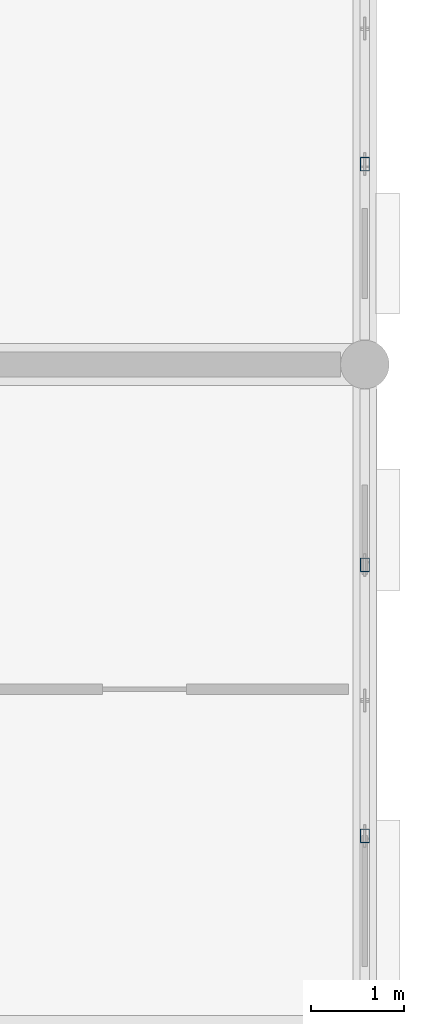
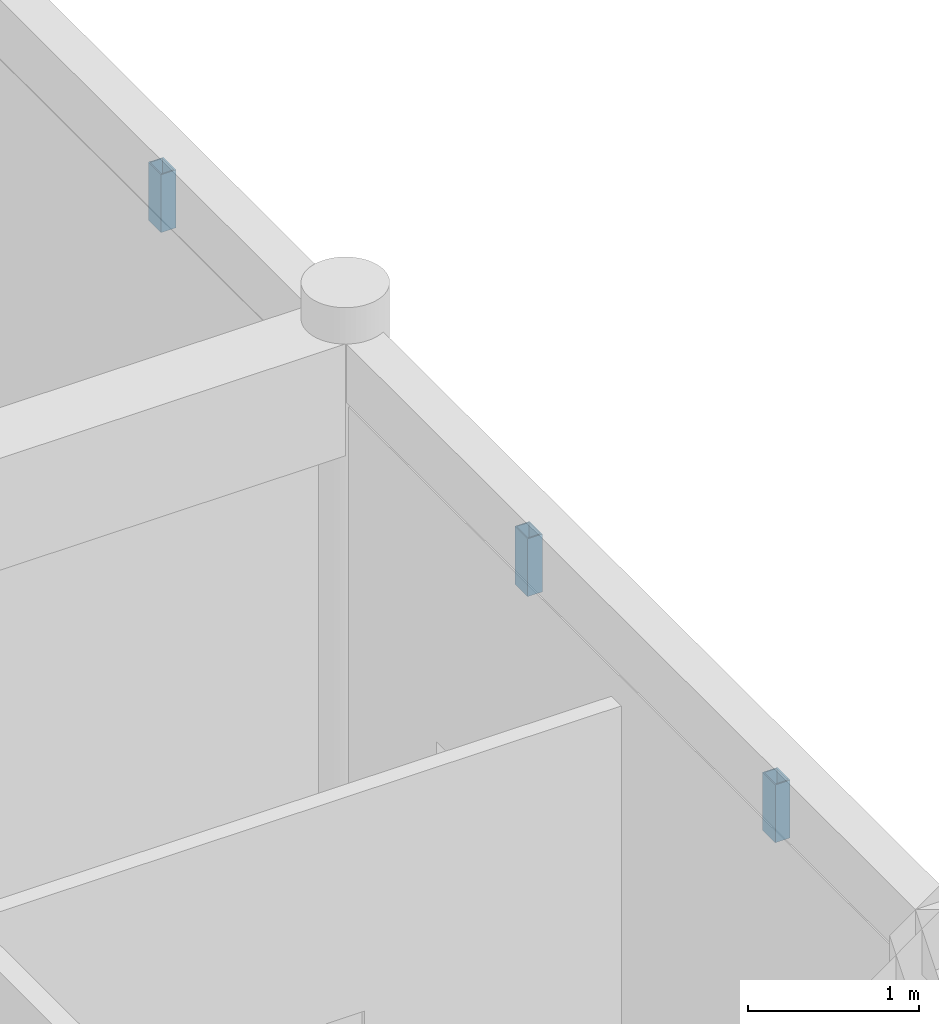
# One storey, part 54 of 138: 3 members.
"""IFC4 building model written with IfcOpenShell, lengths in metres."""

from ifc_helpers import new_model, si_unit, direction, frame, origin, origin_2d, place, context, subcontext, project, spatial, hollow_rectangle, extrude, material, material_profile, profile_set, type_object, element, save


model = new_model("IFC4")

# Units and contexts
model_context = context("Model", 3, precision=1e-05, world=origin(), true_north=direction((0.0, 1.0)))
body_context = subcontext(model_context, "Body", "Model", "MODEL_VIEW")
ifc_project = project(units=[si_unit("LENGTHUNIT", "METRE"), si_unit("AREAUNIT", "SQUARE_METRE"), si_unit("VOLUMEUNIT", "CUBIC_METRE"), si_unit("PLANEANGLEUNIT", "RADIAN"), si_unit("MASSUNIT", "GRAM", prefix="KILO"), si_unit("THERMODYNAMICTEMPERATUREUNIT", "KELVIN"), si_unit("POWERUNIT", "WATT")], contexts=[model_context])

# Site, building, storey
site_placement = place(None, origin())
site = spatial("IfcSite", under=ifc_project, at=site_placement, CompositionType="ELEMENT")
building_placement = place(site_placement, origin())
building = spatial("IfcBuilding", under=site, at=building_placement, Name="Tavuni Mirador Residences", CompositionType="ELEMENT")
storey_placement = place(building_placement, origin())
storey = spatial("IfcBuildingStorey", under=building, at=storey_placement, Name="L00", CompositionType="ELEMENT", Elevation=0.0)

# Members
ifc_material = material(Name="Structural steel S355", Category="steel")
ifc_material_profile = material_profile(ifc_material, hollow_rectangle(XDim=0.10009765625, YDim=0.14990234375, WallThickness=0.008056640625, at=origin_2d()), Name="RHS 150x100x8.0", Category="steel")
ifc_profile_set = profile_set([ifc_material_profile], Name="Structural steel S355")
member_type = type_object("IfcMemberType", Name="MT-BR-RHS150", PredefinedType="BRACE", material=ifc_profile_set)
for number, where, z_axis, x_axis, name in (
    (1, (118.800048828125, 124.548095703125, 3.615478515625), (0.0, 0.0, 1.0), (1.0, 0.0, 0.0), "ARCH-BLKD-E-05-V1"),
    (2, (118.800048828125, 127.451904296875, 3.615478515625), (0.0, 0.0, 1.0), (1.0, 0.0, 0.0), "ARCH-BLKD-E-05-V2"),
    (3, (118.800048828125, 131.748046875, 3.615478515625), (0.0, 0.0, 1.0), (1.0, 0.0, 0.0), "ARCH-BLKD-E-06-V1"),
):
    element("IfcMember", number, at=place(storey_placement, frame(where, z_axis=z_axis, x_axis=x_axis)), inside=storey, type_object=member_type, Name=name, PredefinedType="BRACE", context=body_context, shape_type="SweptSolid", body=[
        extrude(hollow_rectangle(XDim=0.10009765625, YDim=0.14990234375, WallThickness=0.008056640625, at=origin_2d()), origin(), (0.0, 0.0, 1.0), 0.41455078125),
    ])

save(model, "model.ifc")
